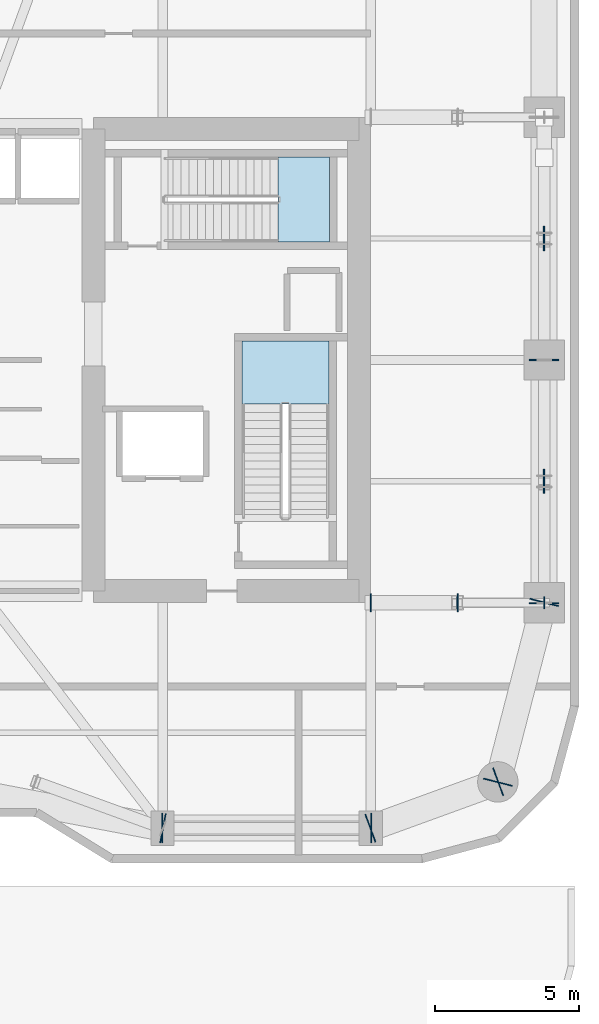
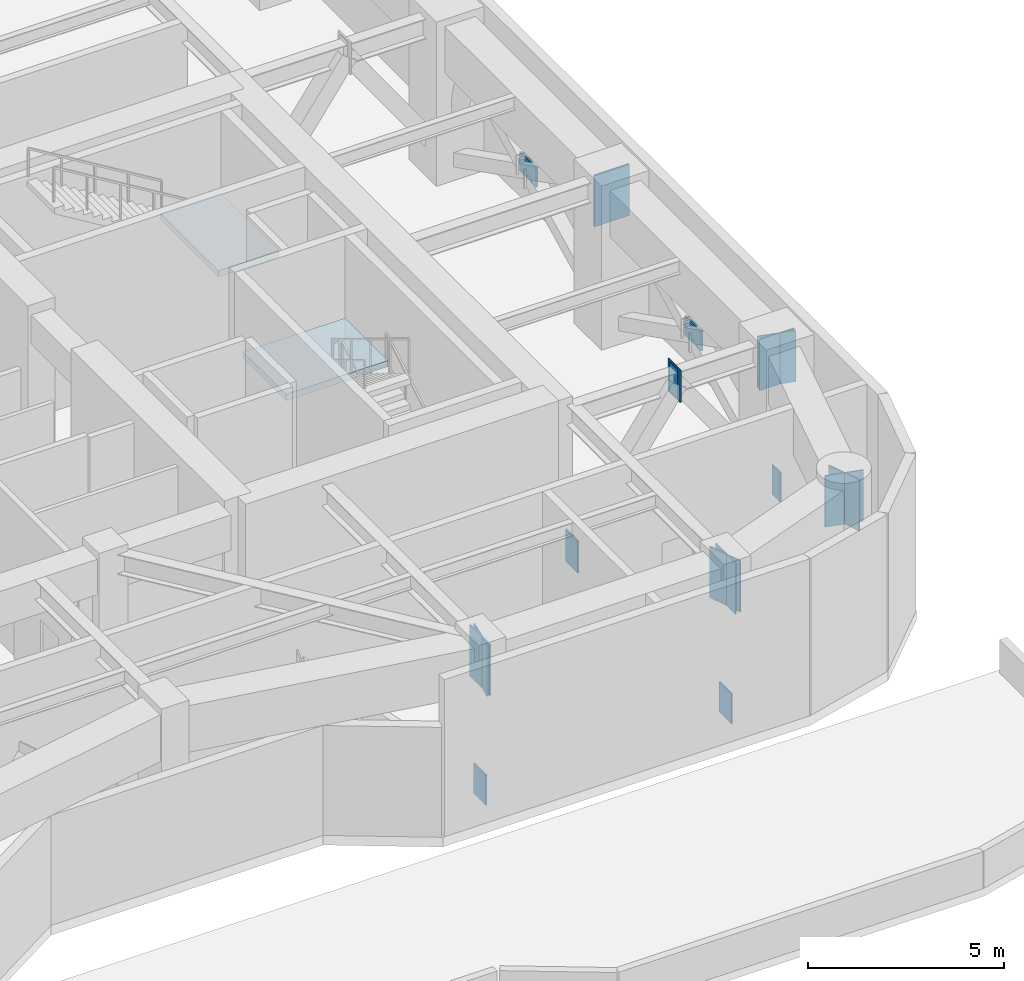
# One storey, part 5 of 16: 18 plates, 2 slabs, 2 elements without a shape of their own.
"""IFC4 building model written with IfcOpenShell, lengths in metres."""

from ifc_helpers import new_model, si_unit, direction, frame, origin, origin_2d, place, context, subcontext, project, spatial, polyline, rectangle, outline, extrude, material, layer, layer_set, type_object, element, aggregate, save


model = new_model("IFC4")

# Units and contexts
model_context = context("Model", 3, precision=1e-05, world=origin(), true_north=direction((0.0, 1.0)))
body_context = subcontext(model_context, "Body", "Model", "MODEL_VIEW")
ifc_project = project(units=[si_unit("LENGTHUNIT", "METRE"), si_unit("AREAUNIT", "SQUARE_METRE"), si_unit("VOLUMEUNIT", "CUBIC_METRE"), si_unit("PLANEANGLEUNIT", "RADIAN"), si_unit("MASSUNIT", "GRAM", prefix="KILO")], contexts=[model_context])

# Site, building, storey
site_placement = place(None, origin())
site = spatial("IfcSite", under=ifc_project, at=site_placement, CompositionType="ELEMENT")
building_placement = place(site_placement, origin())
building = spatial("IfcBuilding", under=site, at=building_placement, Name="Kiyonajd Concourse Tower", CompositionType="ELEMENT")
storey_placement = place(building_placement, frame((0.0, 0.0, 145.5)))
storey = spatial("IfcBuildingStorey", under=building, at=storey_placement, Name="L37", CompositionType="ELEMENT", Elevation=145.5)

# Plates
ifc_material_1 = material(Name="Steel ASTM A572 Grade 50", Category="steel")
ifc_layer_1 = layer(ifc_material_1, 0.031982421875)
ifc_layer_set_1 = layer_set([ifc_layer_1], Name="Steel ASTM A572 Grade 50")
plate_type_1 = type_object("IfcPlateType", Name="PL-CAP-540", PredefinedType="USERDEFINED", material=ifc_layer_set_1)
for number, where, z_axis, x_axis, name in (
    (1, (63.593505859375, 27.60009765625, -0.2109375), (0.0, 0.0, 1.0), (-1.0, 0.0, 0.0), "L37 Outrigger End Cap Plate 05"),
    (2, (66.6064453125, 27.60009765625, 4.037109375), (0.0, 0.0, 1.0), (1.0, 0.0, 0.0), "L37 Outrigger Far End Cap Plate 05"),
):
    element("IfcPlate", number, at=place(storey_placement, frame(where, z_axis=z_axis, x_axis=x_axis)), inside=storey, type_object=plate_type_1, Name=name, ObjectType="CAP PLATE", PredefinedType="USERDEFINED", context=body_context, shape_type="SweptSolid", body=[
        extrude(rectangle(XDim=0.035888671875, YDim=0.6201171875, at=origin_2d()), origin(), (0.0, 0.0, 1.0), 1.00390625),
    ])
for number, where, z_axis, x_axis, name in (
    (3, (66.593505859375, 27.60009765625, 4.080078125), (0.0, 0.0, 1.0), (-1.0, 0.0, 0.0), "L37 Outrigger End Cap Plate 06"),
    (4, (69.6064453125, 27.60009765625, -0.16796875), (0.0, 0.0, 1.0), (1.0, 0.0, 0.0), "L37 Outrigger Far End Cap Plate 06"),
):
    element("IfcPlate", number, at=place(storey_placement, frame(where, z_axis=z_axis, x_axis=x_axis)), inside=storey, type_object=plate_type_1, Name=name, ObjectType="CAP PLATE", PredefinedType="USERDEFINED", context=body_context, shape_type="SweptSolid", body=[
        extrude(rectangle(XDim=0.035888671875, YDim=0.419921875, at=origin_2d()), origin(), (0.0, 0.0, 1.0), 0.91796875),
    ])
for number, where, z_axis, x_axis, name in (
    (5, (56.388916015625, 19.800048828125, -0.169921875), (0.0, 0.0, 1.0), (-1.0, 0.0, 0.0), "L37 Belt Chord Cap Plate"),
    (6, (63.611083984375, 19.800048828125, -0.169921875), (0.0, 0.0, 1.0), (1.0, 0.0, 0.0), "L37 Belt Chord Cap Plate"),
):
    element("IfcPlate", number, at=place(storey_placement, frame(where, z_axis=z_axis, x_axis=x_axis)), inside=storey, type_object=plate_type_1, Name=name, ObjectType="CAP PLATE", PredefinedType="USERDEFINED", context=body_context, shape_type="SweptSolid", body=[
        extrude(rectangle(XDim=0.035888671875, YDim=0.6201171875, at=origin_2d()), origin(), (0.0, 0.0, 1.0), 0.93994140625),
    ])
for number, where, z_axis, x_axis, name in (
    (7, (56.410888671875, 19.7978515625, 3.35986328125), (0.0, 0.0, 1.0), (0.982352599301, -0.187038420242, 0.0), "L37 Welded Box Girder End Cap"),
    (8, (56.388916015625, 19.800048828125, 3.35986328125), (0.0, 0.0, 1.0), (-1.0, 0.0, 0.0), "L37 Welded Box Girder End Cap"),
    (9, (63.611083984375, 19.800048828125, 3.35986328125), (0.0, 0.0, 1.0), (1.0, 0.0, 0.0), "L37 Welded Box Girder End Cap"),
    (10, (63.589599609375, 19.796142578125, 3.35986328125), (0.0, 0.0, 1.0), (-0.939811951086, -0.341692107891, 0.0), "L37 Welded Box Girder End Cap"),
    (11, (68.01025390625, 21.40380859375, 3.35986328125), (0.0, 0.0, 1.0), (0.939811951086, 0.341692107891, 0.0), "L37 Welded Box Girder End Cap"),
    (12, (67.997314453125, 21.389404296875, 3.35986328125), (0.0, 0.0, 1.0), (-0.249873048837, -0.968278606324, 0.0), "L37 Welded Box Girder End Cap"),
    (13, (69.602783203125, 27.610595703125, 3.35986328125), (0.0, 0.0, 1.0), (0.249873048837, 0.968278606324, 0.0), "L37 Welded Box Girder End Cap"),
    (14, (69.60009765625, 27.589111328125, 3.35986328125), (0.0, 0.0, 1.0), (0.0, -1.0, 0.0), "L37 Welded Box Girder End Cap"),
    (15, (69.60009765625, 36.010986328125, 3.35986328125), (0.0, 0.0, 1.0), (0.0, 1.0, 0.0), "L37 Welded Box Girder End Cap"),
    (16, (69.60009765625, 35.989013671875, 3.35986328125), (0.0, 0.0, 1.0), (0.0, -1.0, 0.0), "L37 Welded Box Girder End Cap"),
):
    element("IfcPlate", number, at=place(storey_placement, frame(where, z_axis=z_axis, x_axis=x_axis)), inside=storey, type_object=plate_type_1, Name=name, ObjectType="CAP PLATE", PredefinedType="USERDEFINED", context=body_context, shape_type="SweptSolid", body=[
        extrude(rectangle(XDim=0.035888671875, YDim=1.02001953125, at=origin_2d()), origin(), (0.0, 0.0, 1.0), 1.590087890625),
    ])
ifc_layer_2 = layer(ifc_material_1, 0.06005859375)
ifc_layer_set_2 = layer_set([ifc_layer_2], Name="Steel ASTM A572 Grade 50")
plate_type_2 = type_object("IfcPlateType", Name="PL-XNODE-60", PredefinedType="USERDEFINED", material=ifc_layer_set_2)
for number, where, z_axis, x_axis, name in (
    (17, (69.60009765625, 31.800048828125, 2.114990234375), (0.0, 0.0, 1.0), (1.0, 0.0, 0.0), "L37 Belt Truss X Brace Crossing Gusset Plate XN1 E1"),
    (18, (69.60009765625, 40.199951171875, 2.114990234375), (0.0, 0.0, 1.0), (1.0, 0.0, 0.0), "L37 Belt Truss X Brace Crossing Gusset Plate XN1 E2"),
):
    element("IfcPlate", number, at=place(storey_placement, frame(where, z_axis=z_axis, x_axis=x_axis)), inside=storey, type_object=plate_type_2, Name=name, ObjectType="GUSSET PLATE", PredefinedType="USERDEFINED", context=body_context, shape_type="SweptSolid", body=[
        extrude(rectangle(XDim=0.06005859375, YDim=0.840087890625, at=origin_2d()), origin(), (0.0, 0.0, 1.0), 0.60009765625),
    ])

# Stair, slab
ifc_material_2 = material(Name="Concrete C40/50", Category="concrete")
stair_type = type_object("IfcStairType", Name="ST-DLG-30R", PredefinedType="HALF_TURN_STAIR", material=ifc_material_2)
stair_1_placement = place(storey_placement, origin())
stair_1 = element("IfcStair", 19, at=stair_1_placement, inside=storey, type_object=stair_type, Name="L37 Protected Exit Stair ST2", PredefinedType="HALF_TURN_STAIR")
ifc_layer_3 = layer(ifc_material_2, 0.199951171875)
ifc_layer_set_3 = layer_set([ifc_layer_3], Name="Concrete C40/50")
slab_type = type_object("IfcSlabType", Name="SL-LND-200", PredefinedType="LANDING", material=ifc_layer_set_3)
slab_1_placement = place(storey_placement, frame((0.0, 0.0, 2.35009765625)))
slab_1 = element("IfcSlab", 20, at=slab_1_placement, type_object=slab_type, Name="ST2 landing 1", PredefinedType="LANDING", context=body_context, shape_type="SweptSolid", body=[
    extrude(outline(polyline([(62.14990234375, 34.469970703125), (62.14990234375, 36.64990234375), (59.14990234375, 36.64990234375), (59.14990234375, 34.469970703125), (62.14990234375, 34.469970703125)])), origin(), (0.0, 0.0, 1.0), 0.199951171875),
])
aggregate(stair_1, [slab_1])

stair_2_placement = place(storey_placement, origin())
stair_2 = element("IfcStair", 21, at=stair_2_placement, inside=storey, type_object=stair_type, Name="L37 Protected Exit Stair ST3", PredefinedType="HALF_TURN_STAIR")
slab_2_placement = place(storey_placement, frame((0.0, 0.0, 2.35009765625)))
slab_2 = element("IfcSlab", 22, at=slab_2_placement, type_object=slab_type, Name="ST3 landing 1", PredefinedType="LANDING", context=body_context, shape_type="SweptSolid", body=[
    extrude(outline(polyline([(60.39990234375, 40.080078125), (62.179931640625, 40.080078125), (62.179931640625, 43.02001953125), (60.39990234375, 43.02001953125), (60.39990234375, 40.080078125)])), origin(), (0.0, 0.0, 1.0), 0.199951171875),
])
aggregate(stair_2, [slab_2])

save(model, "model.ifc")
